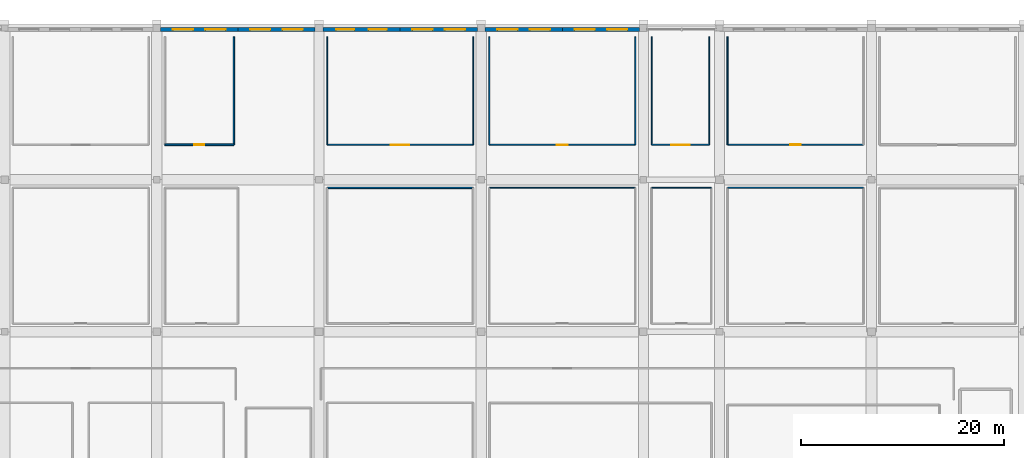
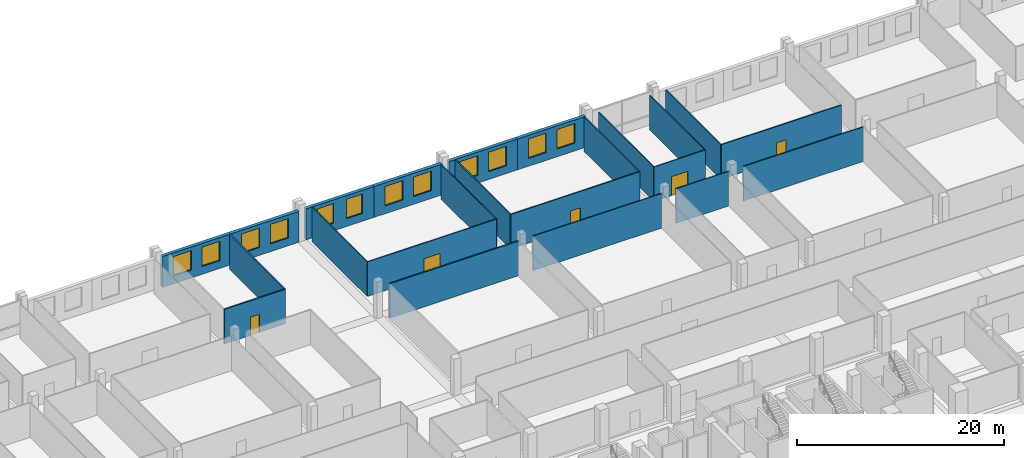
# One storey, part 49 of 64: 23 walls, 12 windows, 5 doors, 17 openings.
"""IFC4 building model written with IfcOpenShell, lengths in metres."""

from ifc_helpers import new_model, si_unit, direction, frame, frame_2d, origin, place, context, subcontext, project, spatial, rectangle, extrude, material, layer, layer_set, type_object, element, fill, save


model = new_model("IFC4")

# Units and contexts
model_context = context("Model", 3, precision=1e-05, world=origin(), true_north=direction((0.0, 1.0)))
body_context = subcontext(model_context, "Body", "Model", "MODEL_VIEW")
ifc_project = project(units=[si_unit("LENGTHUNIT", "METRE"), si_unit("AREAUNIT", "SQUARE_METRE"), si_unit("VOLUMEUNIT", "CUBIC_METRE"), si_unit("PLANEANGLEUNIT", "RADIAN"), si_unit("MASSUNIT", "GRAM", prefix="KILO")], contexts=[model_context])

# Site, building, storey
site_placement = place(None, origin())
site = spatial("IfcSite", under=ifc_project, at=site_placement, CompositionType="ELEMENT")
building_placement = place(site_placement, origin())
building = spatial("IfcBuilding", under=site, at=building_placement, Name="Akrevak Sports Hall", CompositionType="ELEMENT")
storey_placement = place(building_placement, frame((0.0, 0.0, 4.60009765625)))
storey = spatial("IfcBuildingStorey", under=building, at=storey_placement, Name="L01", CompositionType="ELEMENT", Elevation=4.60009765625)

# Wall, openings, windows
ifc_material_1 = material(Name="Limestone Ashlar", Category="stone")
ifc_layer_1 = layer(ifc_material_1, 0.080078125, Name="Limestone Ashlar")
ifc_material_2 = material(Name="Mineral Wool Thermal Insulation", Category="insulation")
ifc_layer_2 = layer(ifc_material_2, 0.10009765625, Name="Mineral Wool Thermal Insulation")
ifc_material_3 = material(Name="Concrete C40/50", Category="concrete")
ifc_layer_3 = layer(ifc_material_3, 0.199951171875, Name="Concrete C40/50")
ifc_layer_set_1 = layer_set([ifc_layer_1, ifc_layer_2, ifc_layer_3], Name="Limestone Ashlar / Mineral Wool Thermal Insulation / Concrete C40/50")
wall_type_1 = type_object("IfcWallType", Name="ARC-WL-EXT-380", PredefinedType="SOLIDWALL", material=ifc_layer_set_1)
wall_1_placement = place(storey_placement, frame((68.0, 113.81005859375, 0.0), z_axis=(0.0, 0.0, 1.0), x_axis=(-1.0, 0.0, 0.0)))
wall_1 = element("IfcWall", 1, at=wall_1_placement, inside=storey, type_object=wall_type_1, Name="Exterior Limestone Wall L01-N09", PredefinedType="SOLIDWALL", context=body_context, shape_type="SweptSolid", body=[
    extrude(rectangle(XDim=7.625, YDim=0.3798828125, at=frame_2d((3.8125, 0.0))), origin(), (0.0, 0.0, 1.0), 3.64990234375),
])
opening_1_placement = place(wall_1_placement, frame((4.413818359375, 0.0, 0.919921875)))
opening_1 = element("IfcOpeningElement", 2, at=opening_1_placement, cuts=wall_1, Name="Opening WN-29", PredefinedType="OPENING", context=body_context, shape_type="SweptSolid", body=[
    extrude(rectangle(XDim=2.0, YDim=2.300048828125, at=frame_2d((1.0, 1.14990234375))), frame((0.0, 0.201904296875, 0.0), z_axis=(0.0, -1.0, 0.0), x_axis=(1.0, 0.0, 0.0)), (0.0, 0.0, 1.0), 0.40380859375),
])
opening_2_placement = place(wall_1_placement, frame((1.211181640625, 0.0, 0.919921875)))
opening_2 = element("IfcOpeningElement", 3, at=opening_2_placement, cuts=wall_1, Name="Opening WN-29", PredefinedType="OPENING", context=body_context, shape_type="SweptSolid", body=[
    extrude(rectangle(XDim=2.0, YDim=2.300048828125, at=frame_2d((1.0, 1.14990234375))), frame((0.0, 0.201904296875, 0.0), z_axis=(0.0, -1.0, 0.0), x_axis=(1.0, 0.0, 0.0)), (0.0, 0.0, 1.0), 0.40380859375),
])
ifc_material_4 = material(Name="Thermally Broken Bronze Frame & Double Low-E Glass", Category="glass")
window_type_1 = type_object("IfcWindowType", Name="ARC-WIN-SZ-2000x2300", PartitioningType="SINGLE_PANEL", PredefinedType="WINDOW", material=ifc_material_4)
window_1_placement = place(opening_1_placement, origin())
window_1 = element("IfcWindow", 4, at=window_1_placement, inside=storey, type_object=window_type_1, Name="Beaux-Arts Facade Window WIN-L01-N09-1", OverallHeight=2.300048828125, OverallWidth=2.0, PartitioningType="SINGLE_PANEL", PredefinedType="WINDOW", context=body_context, shape_type="SweptSolid", body=[
    extrude(rectangle(XDim=2.0, YDim=2.300048828125, at=frame_2d((1.0, 1.14990234375))), frame((0.0, 0.030029296875, 0.0), z_axis=(0.0, -1.0, 0.0), x_axis=(1.0, 0.0, 0.0)), (0.0, 0.0, 1.0), 0.06005859375),
])
fill(opening_1, window_1)
window_2_placement = place(opening_2_placement, origin())
window_2 = element("IfcWindow", 5, at=window_2_placement, inside=storey, type_object=window_type_1, Name="Beaux-Arts Facade Window WIN-L01-N09-2", OverallHeight=2.300048828125, OverallWidth=2.0, PartitioningType="SINGLE_PANEL", PredefinedType="WINDOW", context=body_context, shape_type="SweptSolid", body=[
    extrude(rectangle(XDim=2.0, YDim=2.300048828125, at=frame_2d((1.0, 1.14990234375))), frame((0.0, 0.030029296875, 0.0), z_axis=(0.0, -1.0, 0.0), x_axis=(1.0, 0.0, 0.0)), (0.0, 0.0, 1.0), 0.06005859375),
])
fill(opening_2, window_2)

wall_2_placement = place(storey_placement, frame((75.625, 113.81005859375, 0.0), z_axis=(0.0, 0.0, 1.0), x_axis=(-1.0, 0.0, 0.0)))
wall_2 = element("IfcWall", 6, at=wall_2_placement, inside=storey, type_object=wall_type_1, Name="Exterior Limestone Wall L01-N10", PredefinedType="SOLIDWALL", context=body_context, shape_type="SweptSolid", body=[
    extrude(rectangle(XDim=7.625, YDim=0.3798828125, at=frame_2d((3.8125, 0.0))), origin(), (0.0, 0.0, 1.0), 3.64990234375),
])
opening_3_placement = place(wall_2_placement, frame((4.413818359375, 0.0, 0.919921875)))
opening_3 = element("IfcOpeningElement", 7, at=opening_3_placement, cuts=wall_2, Name="Opening WN-29", PredefinedType="OPENING", context=body_context, shape_type="SweptSolid", body=[
    extrude(rectangle(XDim=2.0, YDim=2.300048828125, at=frame_2d((1.0, 1.14990234375))), frame((0.0, 0.201904296875, 0.0), z_axis=(0.0, -1.0, 0.0), x_axis=(1.0, 0.0, 0.0)), (0.0, 0.0, 1.0), 0.40380859375),
])
opening_4_placement = place(wall_2_placement, frame((1.211181640625, 0.0, 0.919921875)))
opening_4 = element("IfcOpeningElement", 8, at=opening_4_placement, cuts=wall_2, Name="Opening WN-29", PredefinedType="OPENING", context=body_context, shape_type="SweptSolid", body=[
    extrude(rectangle(XDim=2.0, YDim=2.300048828125, at=frame_2d((1.0, 1.14990234375))), frame((0.0, 0.201904296875, 0.0), z_axis=(0.0, -1.0, 0.0), x_axis=(1.0, 0.0, 0.0)), (0.0, 0.0, 1.0), 0.40380859375),
])
window_3_placement = place(opening_3_placement, origin())
window_3 = element("IfcWindow", 9, at=window_3_placement, inside=storey, type_object=window_type_1, Name="Beaux-Arts Facade Window WIN-L01-N10-1", OverallHeight=2.300048828125, OverallWidth=2.0, PartitioningType="SINGLE_PANEL", PredefinedType="WINDOW", context=body_context, shape_type="SweptSolid", body=[
    extrude(rectangle(XDim=2.0, YDim=2.300048828125, at=frame_2d((1.0, 1.14990234375))), frame((0.0, 0.030029296875, 0.0), z_axis=(0.0, -1.0, 0.0), x_axis=(1.0, 0.0, 0.0)), (0.0, 0.0, 1.0), 0.06005859375),
])
fill(opening_3, window_3)
window_4_placement = place(opening_4_placement, origin())
window_4 = element("IfcWindow", 10, at=window_4_placement, inside=storey, type_object=window_type_1, Name="Beaux-Arts Facade Window WIN-L01-N10-2", OverallHeight=2.300048828125, OverallWidth=2.0, PartitioningType="SINGLE_PANEL", PredefinedType="WINDOW", context=body_context, shape_type="SweptSolid", body=[
    extrude(rectangle(XDim=2.0, YDim=2.300048828125, at=frame_2d((1.0, 1.14990234375))), frame((0.0, 0.030029296875, 0.0), z_axis=(0.0, -1.0, 0.0), x_axis=(1.0, 0.0, 0.0)), (0.0, 0.0, 1.0), 0.06005859375),
])
fill(opening_4, window_4)

wall_3_placement = place(storey_placement, frame((84.0, 113.81005859375, 0.0), z_axis=(0.0, 0.0, 1.0), x_axis=(-1.0, 0.0, 0.0)))
wall_3 = element("IfcWall", 11, at=wall_3_placement, inside=storey, type_object=wall_type_1, Name="Exterior Limestone Wall L01-N11", PredefinedType="SOLIDWALL", context=body_context, shape_type="SweptSolid", body=[
    extrude(rectangle(XDim=7.625, YDim=0.3798828125, at=frame_2d((3.8125, 0.0))), origin(), (0.0, 0.0, 1.0), 3.64990234375),
])
opening_5_placement = place(wall_3_placement, frame((4.513671875, 0.0, 0.919921875)))
opening_5 = element("IfcOpeningElement", 12, at=opening_5_placement, cuts=wall_3, Name="Opening WN-31", PredefinedType="OPENING", context=body_context, shape_type="SweptSolid", body=[
    extrude(rectangle(XDim=1.800048828125, YDim=2.300048828125, at=frame_2d((0.89990234375, 1.14990234375))), frame((0.0, 0.201904296875, 0.0), z_axis=(0.0, -1.0, 0.0), x_axis=(1.0, 0.0, 0.0)), (0.0, 0.0, 1.0), 0.40380859375),
])
opening_6_placement = place(wall_3_placement, frame((1.311279296875, 0.0, 0.919921875)))
opening_6 = element("IfcOpeningElement", 13, at=opening_6_placement, cuts=wall_3, Name="Opening WN-31", PredefinedType="OPENING", context=body_context, shape_type="SweptSolid", body=[
    extrude(rectangle(XDim=1.800048828125, YDim=2.300048828125, at=frame_2d((0.89990234375, 1.14990234375))), frame((0.0, 0.201904296875, 0.0), z_axis=(0.0, -1.0, 0.0), x_axis=(1.0, 0.0, 0.0)), (0.0, 0.0, 1.0), 0.40380859375),
])
window_type_2 = type_object("IfcWindowType", Name="ARC-WIN-SZ-1800x2300", PartitioningType="SINGLE_PANEL", PredefinedType="WINDOW", material=ifc_material_4)
window_5_placement = place(opening_5_placement, origin())
window_5 = element("IfcWindow", 14, at=window_5_placement, inside=storey, type_object=window_type_2, Name="Beaux-Arts Facade Window WIN-L01-N11-1", OverallHeight=2.300048828125, OverallWidth=1.800048828125, PartitioningType="SINGLE_PANEL", PredefinedType="WINDOW", context=body_context, shape_type="SweptSolid", body=[
    extrude(rectangle(XDim=1.800048828125, YDim=2.300048828125, at=frame_2d((0.89990234375, 1.14990234375))), frame((0.0, 0.030029296875, 0.0), z_axis=(0.0, -1.0, 0.0), x_axis=(1.0, 0.0, 0.0)), (0.0, 0.0, 1.0), 0.06005859375),
])
fill(opening_5, window_5)
window_6_placement = place(opening_6_placement, origin())
window_6 = element("IfcWindow", 15, at=window_6_placement, inside=storey, type_object=window_type_2, Name="Beaux-Arts Facade Window WIN-L01-N11-2", OverallHeight=2.300048828125, OverallWidth=1.800048828125, PartitioningType="SINGLE_PANEL", PredefinedType="WINDOW", context=body_context, shape_type="SweptSolid", body=[
    extrude(rectangle(XDim=1.800048828125, YDim=2.300048828125, at=frame_2d((0.89990234375, 1.14990234375))), frame((0.0, 0.030029296875, 0.0), z_axis=(0.0, -1.0, 0.0), x_axis=(1.0, 0.0, 0.0)), (0.0, 0.0, 1.0), 0.06005859375),
])
fill(opening_6, window_6)

wall_4_placement = place(storey_placement, frame((91.625, 113.81005859375, 0.0), z_axis=(0.0, 0.0, 1.0), x_axis=(-1.0, 0.0, 0.0)))
wall_4 = element("IfcWall", 16, at=wall_4_placement, inside=storey, type_object=wall_type_1, Name="Exterior Limestone Wall L01-N12", PredefinedType="SOLIDWALL", context=body_context, shape_type="SweptSolid", body=[
    extrude(rectangle(XDim=7.625, YDim=0.3798828125, at=frame_2d((3.8125, 0.0))), origin(), (0.0, 0.0, 1.0), 3.64990234375),
])
opening_7_placement = place(wall_4_placement, frame((4.413818359375, 0.0, 0.919921875)))
opening_7 = element("IfcOpeningElement", 17, at=opening_7_placement, cuts=wall_4, Name="Opening WN-29", PredefinedType="OPENING", context=body_context, shape_type="SweptSolid", body=[
    extrude(rectangle(XDim=2.0, YDim=2.300048828125, at=frame_2d((1.0, 1.14990234375))), frame((0.0, 0.201904296875, 0.0), z_axis=(0.0, -1.0, 0.0), x_axis=(1.0, 0.0, 0.0)), (0.0, 0.0, 1.0), 0.40380859375),
])
opening_8_placement = place(wall_4_placement, frame((1.211181640625, 0.0, 0.919921875)))
opening_8 = element("IfcOpeningElement", 18, at=opening_8_placement, cuts=wall_4, Name="Opening WN-29", PredefinedType="OPENING", context=body_context, shape_type="SweptSolid", body=[
    extrude(rectangle(XDim=2.0, YDim=2.300048828125, at=frame_2d((1.0, 1.14990234375))), frame((0.0, 0.201904296875, 0.0), z_axis=(0.0, -1.0, 0.0), x_axis=(1.0, 0.0, 0.0)), (0.0, 0.0, 1.0), 0.40380859375),
])
window_7_placement = place(opening_7_placement, origin())
window_7 = element("IfcWindow", 19, at=window_7_placement, inside=storey, type_object=window_type_1, Name="Beaux-Arts Facade Window WIN-L01-N12-1", OverallHeight=2.300048828125, OverallWidth=2.0, PartitioningType="SINGLE_PANEL", PredefinedType="WINDOW", context=body_context, shape_type="SweptSolid", body=[
    extrude(rectangle(XDim=2.0, YDim=2.300048828125, at=frame_2d((1.0, 1.14990234375))), frame((0.0, 0.030029296875, 0.0), z_axis=(0.0, -1.0, 0.0), x_axis=(1.0, 0.0, 0.0)), (0.0, 0.0, 1.0), 0.06005859375),
])
fill(opening_7, window_7)
window_8_placement = place(opening_8_placement, origin())
window_8 = element("IfcWindow", 20, at=window_8_placement, inside=storey, type_object=window_type_1, Name="Beaux-Arts Facade Window WIN-L01-N12-2", OverallHeight=2.300048828125, OverallWidth=2.0, PartitioningType="SINGLE_PANEL", PredefinedType="WINDOW", context=body_context, shape_type="SweptSolid", body=[
    extrude(rectangle(XDim=2.0, YDim=2.300048828125, at=frame_2d((1.0, 1.14990234375))), frame((0.0, 0.030029296875, 0.0), z_axis=(0.0, -1.0, 0.0), x_axis=(1.0, 0.0, 0.0)), (0.0, 0.0, 1.0), 0.06005859375),
])
fill(opening_8, window_8)

wall_5_placement = place(storey_placement, frame((100.0, 113.81005859375, 0.0), z_axis=(0.0, 0.0, 1.0), x_axis=(-1.0, 0.0, 0.0)))
wall_5 = element("IfcWall", 21, at=wall_5_placement, inside=storey, type_object=wall_type_1, Name="Exterior Limestone Wall L01-N13", PredefinedType="SOLIDWALL", context=body_context, shape_type="SweptSolid", body=[
    extrude(rectangle(XDim=7.625, YDim=0.3798828125, at=frame_2d((3.8125, 0.0))), origin(), (0.0, 0.0, 1.0), 3.64990234375),
])
opening_9_placement = place(wall_5_placement, frame((4.413818359375, 0.0, 0.919921875)))
opening_9 = element("IfcOpeningElement", 22, at=opening_9_placement, cuts=wall_5, Name="Opening WN-29", PredefinedType="OPENING", context=body_context, shape_type="SweptSolid", body=[
    extrude(rectangle(XDim=2.0, YDim=2.300048828125, at=frame_2d((1.0, 1.14990234375))), frame((0.0, 0.201904296875, 0.0), z_axis=(0.0, -1.0, 0.0), x_axis=(1.0, 0.0, 0.0)), (0.0, 0.0, 1.0), 0.40380859375),
])
opening_10_placement = place(wall_5_placement, frame((1.211181640625, 0.0, 0.919921875)))
opening_10 = element("IfcOpeningElement", 23, at=opening_10_placement, cuts=wall_5, Name="Opening WN-29", PredefinedType="OPENING", context=body_context, shape_type="SweptSolid", body=[
    extrude(rectangle(XDim=2.0, YDim=2.300048828125, at=frame_2d((1.0, 1.14990234375))), frame((0.0, 0.201904296875, 0.0), z_axis=(0.0, -1.0, 0.0), x_axis=(1.0, 0.0, 0.0)), (0.0, 0.0, 1.0), 0.40380859375),
])
window_9_placement = place(opening_9_placement, origin())
window_9 = element("IfcWindow", 24, at=window_9_placement, inside=storey, type_object=window_type_1, Name="Beaux-Arts Facade Window WIN-L01-N13-1", OverallHeight=2.300048828125, OverallWidth=2.0, PartitioningType="SINGLE_PANEL", PredefinedType="WINDOW", context=body_context, shape_type="SweptSolid", body=[
    extrude(rectangle(XDim=2.0, YDim=2.300048828125, at=frame_2d((1.0, 1.14990234375))), frame((0.0, 0.030029296875, 0.0), z_axis=(0.0, -1.0, 0.0), x_axis=(1.0, 0.0, 0.0)), (0.0, 0.0, 1.0), 0.06005859375),
])
fill(opening_9, window_9)
window_10_placement = place(opening_10_placement, origin())
window_10 = element("IfcWindow", 25, at=window_10_placement, inside=storey, type_object=window_type_1, Name="Beaux-Arts Facade Window WIN-L01-N13-2", OverallHeight=2.300048828125, OverallWidth=2.0, PartitioningType="SINGLE_PANEL", PredefinedType="WINDOW", context=body_context, shape_type="SweptSolid", body=[
    extrude(rectangle(XDim=2.0, YDim=2.300048828125, at=frame_2d((1.0, 1.14990234375))), frame((0.0, 0.030029296875, 0.0), z_axis=(0.0, -1.0, 0.0), x_axis=(1.0, 0.0, 0.0)), (0.0, 0.0, 1.0), 0.06005859375),
])
fill(opening_10, window_10)

wall_6_placement = place(storey_placement, frame((107.625, 113.81005859375, 0.0), z_axis=(0.0, 0.0, 1.0), x_axis=(-1.0, 0.0, 0.0)))
wall_6 = element("IfcWall", 26, at=wall_6_placement, inside=storey, type_object=wall_type_1, Name="Exterior Limestone Wall L01-N14", PredefinedType="SOLIDWALL", context=body_context, shape_type="SweptSolid", body=[
    extrude(rectangle(XDim=7.625, YDim=0.3798828125, at=frame_2d((3.8125, 0.0))), origin(), (0.0, 0.0, 1.0), 3.64990234375),
])
opening_11_placement = place(wall_6_placement, frame((4.413818359375, 0.0, 0.919921875)))
opening_11 = element("IfcOpeningElement", 27, at=opening_11_placement, cuts=wall_6, Name="Opening WN-29", PredefinedType="OPENING", context=body_context, shape_type="SweptSolid", body=[
    extrude(rectangle(XDim=2.0, YDim=2.300048828125, at=frame_2d((1.0, 1.14990234375))), frame((0.0, 0.201904296875, 0.0), z_axis=(0.0, -1.0, 0.0), x_axis=(1.0, 0.0, 0.0)), (0.0, 0.0, 1.0), 0.40380859375),
])
opening_12_placement = place(wall_6_placement, frame((1.211181640625, 0.0, 0.919921875)))
opening_12 = element("IfcOpeningElement", 28, at=opening_12_placement, cuts=wall_6, Name="Opening WN-29", PredefinedType="OPENING", context=body_context, shape_type="SweptSolid", body=[
    extrude(rectangle(XDim=2.0, YDim=2.300048828125, at=frame_2d((1.0, 1.14990234375))), frame((0.0, 0.201904296875, 0.0), z_axis=(0.0, -1.0, 0.0), x_axis=(1.0, 0.0, 0.0)), (0.0, 0.0, 1.0), 0.40380859375),
])
window_11_placement = place(opening_11_placement, origin())
window_11 = element("IfcWindow", 29, at=window_11_placement, inside=storey, type_object=window_type_1, Name="Beaux-Arts Facade Window WIN-L01-N14-1", OverallHeight=2.300048828125, OverallWidth=2.0, PartitioningType="SINGLE_PANEL", PredefinedType="WINDOW", context=body_context, shape_type="SweptSolid", body=[
    extrude(rectangle(XDim=2.0, YDim=2.300048828125, at=frame_2d((1.0, 1.14990234375))), frame((0.0, 0.030029296875, 0.0), z_axis=(0.0, -1.0, 0.0), x_axis=(1.0, 0.0, 0.0)), (0.0, 0.0, 1.0), 0.06005859375),
])
fill(opening_11, window_11)
window_12_placement = place(opening_12_placement, origin())
window_12 = element("IfcWindow", 30, at=window_12_placement, inside=storey, type_object=window_type_1, Name="Beaux-Arts Facade Window WIN-L01-N14-2", OverallHeight=2.300048828125, OverallWidth=2.0, PartitioningType="SINGLE_PANEL", PredefinedType="WINDOW", context=body_context, shape_type="SweptSolid", body=[
    extrude(rectangle(XDim=2.0, YDim=2.300048828125, at=frame_2d((1.0, 1.14990234375))), frame((0.0, 0.030029296875, 0.0), z_axis=(0.0, -1.0, 0.0), x_axis=(1.0, 0.0, 0.0)), (0.0, 0.0, 1.0), 0.06005859375),
])
fill(opening_12, window_12)

# Wall
ifc_material_5 = material(Name="Sanitary Cubicle Partition", Category="gypsum")
ifc_layer_4 = layer(ifc_material_5, 0.10009765625, Name="Sanitary Cubicle Partition")
ifc_layer_set_2 = layer_set([ifc_layer_4], Name="Sanitary Cubicle Partition")
wall_type_2 = type_object("IfcWallType", Name="ARC-WL-PRT-100", PredefinedType="PARTITIONING", material=ifc_layer_set_2)
wall_7_placement = place(storey_placement, frame((92.800048828125, 98.199951171875, 0.0), z_axis=(0.0, 0.0, 1.0), x_axis=(1.0, 0.0, 0.0)))
element("IfcWall", 31, at=wall_7_placement, inside=storey, type_object=wall_type_2, Name="Interior Partition Sports Federation Training Office L01-8 (N)", PredefinedType="PARTITIONING", context=body_context, shape_type="SweptSolid", body=[
    extrude(rectangle(XDim=14.39990234375, YDim=0.10009765625, at=frame_2d((7.199951171875, 0.0))), origin(), (0.0, 0.0, 1.0), 4.079833984375),
])

# Wall, opening, door
wall_8_placement = place(storey_placement, frame((108.800048828125, 102.449951171875, 0.0), z_axis=(0.0, 0.0, 1.0), x_axis=(1.0, 0.0, 0.0)))
wall_8 = element("IfcWall", 32, at=wall_8_placement, inside=storey, type_object=wall_type_2, Name="Interior Partition Competition Equipment Storage L01-9 (S)", PredefinedType="PARTITIONING", context=body_context, shape_type="SweptSolid", body=[
    extrude(rectangle(XDim=5.699951171875, YDim=0.10009765625, at=frame_2d((2.85009765625, 0.0))), origin(), (0.0, 0.0, 1.0), 4.079833984375),
])
opening_13_placement = place(wall_8_placement, frame((1.949951171875, 0.0, 0.0)))
opening_13 = element("IfcOpeningElement", 33, at=opening_13_placement, cuts=wall_8, Name="Opening ID-02", PredefinedType="OPENING", context=body_context, shape_type="SweptSolid", body=[
    extrude(rectangle(XDim=1.800048828125, YDim=2.25, at=frame_2d((0.89990234375, 1.125))), frame((0.0, 0.06201171875, 0.0), z_axis=(0.0, -1.0, 0.0), x_axis=(1.0, 0.0, 0.0)), (0.0, 0.0, 1.0), 0.1240234375),
])
ifc_material_6 = material(Name="Hardwood Oak & Safety Glass", Category="wood")
door_type_1 = type_object("IfcDoorType", Name="ARC-DR-HALL-180x225", OperationType="DOUBLE_DOOR_SINGLE_SWING", PredefinedType="DOOR", material=ifc_material_6)
door_1_placement = place(opening_13_placement, origin())
door_1 = element("IfcDoor", 34, at=door_1_placement, inside=storey, type_object=door_type_1, Name="Door to Competition Equipment Storage L01-9", OperationType="DOUBLE_DOOR_SINGLE_SWING", OverallHeight=2.25, OverallWidth=1.800048828125, PredefinedType="DOOR", context=body_context, shape_type="SweptSolid", body=[
    extrude(rectangle(XDim=1.800048828125, YDim=2.25, at=frame_2d((0.89990234375, 1.125))), frame((0.0, 0.02490234375, 0.0), z_axis=(0.0, -1.0, 0.0), x_axis=(1.0, 0.0, 0.0)), (0.0, 0.0, 1.0), 0.050048828125),
])
fill(opening_13, door_1)

# Walls
for number, where, z_axis, x_axis, name in (
    (35, (108.800048828125, 102.449951171875, 0.0), (0.0, 0.0, 1.0), (0.0, 1.0, 0.0), "Interior Partition Competition Equipment Storage L01-9 (W)"),
    (36, (114.5, 102.449951171875, 0.0), (0.0, 0.0, 1.0), (0.0, 1.0, 0.0), "Interior Partition Competition Equipment Storage L01-9 (E)"),
):
    element("IfcWall", number, at=place(storey_placement, frame(where, z_axis=z_axis, x_axis=x_axis)), inside=storey, type_object=wall_type_2, Name=name, PredefinedType="PARTITIONING", context=body_context, shape_type="SweptSolid", body=[
        extrude(rectangle(XDim=10.650146484375, YDim=0.10009765625, at=frame_2d((5.3251953125, 0.0))), origin(), (0.0, 0.0, 1.0), 4.079833984375),
    ])
ifc_material_7 = material(Name="Lightweight Office Partition", Category="gypsum")
ifc_layer_5 = layer(ifc_material_7, 0.110107421875, Name="Lightweight Office Partition")
ifc_layer_set_3 = layer_set([ifc_layer_5], Name="Lightweight Office Partition")
wall_type_3 = type_object("IfcWallType", Name="ARC-WL-PRT-110", PredefinedType="PARTITIONING", material=ifc_layer_set_3)
wall_9_placement = place(storey_placement, frame((108.800048828125, 98.199951171875, 0.0), z_axis=(0.0, 0.0, 1.0), x_axis=(1.0, 0.0, 0.0)))
element("IfcWall", 37, at=wall_9_placement, inside=storey, type_object=wall_type_3, Name="Interior Partition Sports Clinic Recovery & Physiotherapy Room L01-9 (N)", PredefinedType="PARTITIONING", context=body_context, shape_type="SweptSolid", body=[
    extrude(rectangle(XDim=5.89990234375, YDim=0.110107421875, at=frame_2d((2.949951171875, 0.0))), origin(), (0.0, 0.0, 1.0), 4.079833984375),
])

# Wall, opening, door
wall_10_placement = place(storey_placement, frame((76.800048828125, 102.449951171875, 0.0), z_axis=(0.0, 0.0, 1.0), x_axis=(1.0, 0.0, 0.0)))
wall_10 = element("IfcWall", 38, at=wall_10_placement, inside=storey, type_object=wall_type_3, Name="Interior Partition Competition Equipment Storage L01-7 (S)", PredefinedType="PARTITIONING", context=body_context, shape_type="SweptSolid", body=[
    extrude(rectangle(XDim=14.39990234375, YDim=0.110107421875, at=frame_2d((7.199951171875, 0.0))), origin(), (0.0, 0.0, 1.0), 4.079833984375),
])
opening_14_placement = place(wall_10_placement, frame((6.300048828125, 0.0, 0.0)))
opening_14 = element("IfcOpeningElement", 39, at=opening_14_placement, cuts=wall_10, Name="Opening ID-02", PredefinedType="OPENING", context=body_context, shape_type="SweptSolid", body=[
    extrude(rectangle(XDim=1.800048828125, YDim=2.25, at=frame_2d((0.89990234375, 1.125))), frame((0.0, 0.06689453125, 0.0), z_axis=(0.0, -1.0, 0.0), x_axis=(1.0, 0.0, 0.0)), (0.0, 0.0, 1.0), 0.134033203125),
])
door_2_placement = place(opening_14_placement, origin())
door_2 = element("IfcDoor", 40, at=door_2_placement, inside=storey, type_object=door_type_1, Name="Door to Competition Equipment Storage L01-7", OperationType="DOUBLE_DOOR_SINGLE_SWING", OverallHeight=2.25, OverallWidth=1.800048828125, PredefinedType="DOOR", context=body_context, shape_type="SweptSolid", body=[
    extrude(rectangle(XDim=1.800048828125, YDim=2.25, at=frame_2d((0.89990234375, 1.125))), frame((0.0, 0.02490234375, 0.0), z_axis=(0.0, -1.0, 0.0), x_axis=(1.0, 0.0, 0.0)), (0.0, 0.0, 1.0), 0.050048828125),
])
fill(opening_14, door_2)

# Walls
for number, where, z_axis, x_axis, name in (
    (41, (76.800048828125, 102.449951171875, 0.0), (0.0, 0.0, 1.0), (0.0, 1.0, 0.0), "Interior Partition Competition Equipment Storage L01-7 (W)"),
    (42, (91.199951171875, 102.449951171875, 0.0), (0.0, 0.0, 1.0), (0.0, 1.0, 0.0), "Interior Partition Competition Equipment Storage L01-7 (E)"),
):
    element("IfcWall", number, at=place(storey_placement, frame(where, z_axis=z_axis, x_axis=x_axis)), inside=storey, type_object=wall_type_3, Name=name, PredefinedType="PARTITIONING", context=body_context, shape_type="SweptSolid", body=[
        extrude(rectangle(XDim=10.650146484375, YDim=0.110107421875, at=frame_2d((5.3251953125, 0.0))), origin(), (0.0, 0.0, 1.0), 4.079833984375),
    ])
ifc_material_8 = material(Name="Standard Metal Stud Partition", Category="gypsum")
ifc_layer_6 = layer(ifc_material_8, 0.1201171875, Name="Standard Metal Stud Partition")
ifc_layer_set_4 = layer_set([ifc_layer_6], Name="Standard Metal Stud Partition")
wall_type_4 = type_object("IfcWallType", Name="ARC-WL-PRT-120", PredefinedType="PARTITIONING", material=ifc_layer_set_4)
wall_11_placement = place(storey_placement, frame((116.300048828125, 98.199951171875, 0.0), z_axis=(0.0, 0.0, 1.0), x_axis=(1.0, 0.0, 0.0)))
element("IfcWall", 43, at=wall_11_placement, inside=storey, type_object=wall_type_4, Name="Interior Partition Athletic Gear & Equipment Storage L01-10 (N)", PredefinedType="PARTITIONING", context=body_context, shape_type="SweptSolid", body=[
    extrude(rectangle(XDim=13.39990234375, YDim=0.1201171875, at=frame_2d((6.699951171875, 0.0))), origin(), (0.0, 0.0, 1.0), 4.079833984375),
])

# Wall, opening, door
wall_12_placement = place(storey_placement, frame((116.300048828125, 102.449951171875, 0.0), z_axis=(0.0, 0.0, 1.0), x_axis=(1.0, 0.0, 0.0)))
wall_12 = element("IfcWall", 44, at=wall_12_placement, inside=storey, type_object=wall_type_4, Name="Interior Partition Federation Officiating & Records Office L01-10 (S)", PredefinedType="PARTITIONING", context=body_context, shape_type="SweptSolid", body=[
    extrude(rectangle(XDim=13.39990234375, YDim=0.1201171875, at=frame_2d((6.699951171875, 0.0))), origin(), (0.0, 0.0, 1.0), 4.079833984375),
])
opening_15_placement = place(wall_12_placement, frame((6.175048828125, 0.0, 0.0)))
opening_15 = element("IfcOpeningElement", 45, at=opening_15_placement, cuts=wall_12, Name="Opening ID-05", PredefinedType="OPENING", context=body_context, shape_type="SweptSolid", body=[
    extrude(rectangle(XDim=1.050048828125, YDim=2.14990234375, at=frame_2d((0.52490234375, 1.074951171875))), frame((0.0, 0.072021484375, 0.0), z_axis=(0.0, -1.0, 0.0), x_axis=(1.0, 0.0, 0.0)), (0.0, 0.0, 1.0), 0.14404296875),
])
ifc_material_9 = material(Name="Hardwood Oak Acoustic Leaf", Category="wood")
door_type_2 = type_object("IfcDoorType", Name="ARC-DR-OFF-105x215", OperationType="NOTDEFINED", PredefinedType="DOOR", material=ifc_material_9)
door_3_placement = place(opening_15_placement, frame((1.050048828125, 0.0, 0.0), z_axis=(0.0, 0.0, 1.0), x_axis=(-1.0, 0.0, 0.0)))
door_3 = element("IfcDoor", 46, at=door_3_placement, inside=storey, type_object=door_type_2, Name="Door to Federation Officiating & Records Office L01-10", OperationType="SINGLE_SWING_RIGHT", OverallHeight=2.14990234375, OverallWidth=1.050048828125, PredefinedType="DOOR", context=body_context, shape_type="SweptSolid", body=[
    extrude(rectangle(XDim=1.050048828125, YDim=2.14990234375, at=frame_2d((0.52490234375, 1.074951171875))), frame((0.0, 0.02490234375, 0.0), z_axis=(0.0, -1.0, 0.0), x_axis=(1.0, 0.0, 0.0)), (0.0, 0.0, 1.0), 0.050048828125),
])
fill(opening_15, door_3)

# Wall
wall_13_placement = place(storey_placement, frame((116.300048828125, 102.449951171875, 0.0), z_axis=(0.0, 0.0, 1.0), x_axis=(0.0, 1.0, 0.0)))
element("IfcWall", 47, at=wall_13_placement, inside=storey, type_object=wall_type_4, Name="Interior Partition Federation Officiating & Records Office L01-10 (W)", PredefinedType="PARTITIONING", context=body_context, shape_type="SweptSolid", body=[
    extrude(rectangle(XDim=10.650146484375, YDim=0.1201171875, at=frame_2d((5.3251953125, 0.0))), origin(), (0.0, 0.0, 1.0), 4.079833984375),
])

# Wall, opening, door
ifc_material_10 = material(Name="Acoustic Metal Stud Partition", Category="gypsum")
ifc_layer_7 = layer(ifc_material_10, 0.1298828125, Name="Acoustic Metal Stud Partition")
ifc_layer_set_5 = layer_set([ifc_layer_7], Name="Acoustic Metal Stud Partition")
wall_type_5 = type_object("IfcWallType", Name="ARC-WL-PRT-130", PredefinedType="PARTITIONING", material=ifc_layer_set_5)
wall_14_placement = place(storey_placement, frame((92.800048828125, 102.449951171875, 0.0), z_axis=(0.0, 0.0, 1.0), x_axis=(1.0, 0.0, 0.0)))
wall_14 = element("IfcWall", 48, at=wall_14_placement, inside=storey, type_object=wall_type_5, Name="Interior Partition Federation Officiating & Records Office L01-8 (S)", PredefinedType="PARTITIONING", context=body_context, shape_type="SweptSolid", body=[
    extrude(rectangle(XDim=14.39990234375, YDim=0.1298828125, at=frame_2d((7.199951171875, 0.0))), origin(), (0.0, 0.0, 1.0), 4.079833984375),
])
opening_16_placement = place(wall_14_placement, frame((6.64990234375, 0.0, 0.0)))
opening_16 = element("IfcOpeningElement", 49, at=opening_16_placement, cuts=wall_14, Name="Opening ID-04", PredefinedType="OPENING", context=body_context, shape_type="SweptSolid", body=[
    extrude(rectangle(XDim=1.10009765625, YDim=2.14990234375, at=frame_2d((0.550048828125, 1.074951171875))), frame((0.0, 0.076904296875, 0.0), z_axis=(0.0, -1.0, 0.0), x_axis=(1.0, 0.0, 0.0)), (0.0, 0.0, 1.0), 0.15380859375),
])
door_type_3 = type_object("IfcDoorType", Name="ARC-DR-OFF-110x215", OperationType="NOTDEFINED", PredefinedType="DOOR", material=ifc_material_9)
door_4_placement = place(opening_16_placement, origin())
door_4 = element("IfcDoor", 50, at=door_4_placement, inside=storey, type_object=door_type_3, Name="Door to Federation Officiating & Records Office L01-8", OperationType="SINGLE_SWING_LEFT", OverallHeight=2.14990234375, OverallWidth=1.10009765625, PredefinedType="DOOR", context=body_context, shape_type="SweptSolid", body=[
    extrude(rectangle(XDim=1.10009765625, YDim=2.14990234375, at=frame_2d((0.550048828125, 1.074951171875))), frame((0.0, 0.02490234375, 0.0), z_axis=(0.0, -1.0, 0.0), x_axis=(1.0, 0.0, 0.0)), (0.0, 0.0, 1.0), 0.050048828125),
])
fill(opening_16, door_4)

# Walls
for number, where, z_axis, x_axis, name in (
    (51, (92.800048828125, 102.449951171875, 0.0), (0.0, 0.0, 1.0), (0.0, 1.0, 0.0), "Interior Partition Federation Officiating & Records Office L01-8 (W)"),
    (52, (107.199951171875, 102.449951171875, 0.0), (0.0, 0.0, 1.0), (0.0, 1.0, 0.0), "Interior Partition Federation Officiating & Records Office L01-8 (E)"),
):
    element("IfcWall", number, at=place(storey_placement, frame(where, z_axis=z_axis, x_axis=x_axis)), inside=storey, type_object=wall_type_5, Name=name, PredefinedType="PARTITIONING", context=body_context, shape_type="SweptSolid", body=[
        extrude(rectangle(XDim=10.650146484375, YDim=0.1298828125, at=frame_2d((5.3251953125, 0.0))), origin(), (0.0, 0.0, 1.0), 4.079833984375),
    ])
ifc_material_11 = material(Name="Double Stud Acoustic Gypsum Partition", Category="gypsum")
ifc_layer_8 = layer(ifc_material_11, 0.14990234375, Name="Double Stud Acoustic Gypsum Partition")
ifc_layer_set_6 = layer_set([ifc_layer_8], Name="Double Stud Acoustic Gypsum Partition")
wall_type_6 = type_object("IfcWallType", Name="ARC-WL-PRT-150", PredefinedType="PARTITIONING", material=ifc_layer_set_6)
wall_15_placement = place(storey_placement, frame((76.800048828125, 98.199951171875, 0.0), z_axis=(0.0, 0.0, 1.0), x_axis=(1.0, 0.0, 0.0)))
element("IfcWall", 53, at=wall_15_placement, inside=storey, type_object=wall_type_6, Name="Interior Partition Athletic Gear & Equipment Storage L01-7 (N)", PredefinedType="PARTITIONING", context=body_context, shape_type="SweptSolid", body=[
    extrude(rectangle(XDim=14.39990234375, YDim=0.14990234375, at=frame_2d((7.199951171875, 0.0))), origin(), (0.0, 0.0, 1.0), 4.079833984375),
])

# Wall, opening, door
wall_16_placement = place(storey_placement, frame((60.800048828125, 102.449951171875, 0.0), z_axis=(0.0, 0.0, 1.0), x_axis=(1.0, 0.0, 0.0)))
wall_16 = element("IfcWall", 54, at=wall_16_placement, inside=storey, type_object=wall_type_6, Name="Interior Partition Federation Officiating & Records Office L01-6 (S)", PredefinedType="PARTITIONING", context=body_context, shape_type="SweptSolid", body=[
    extrude(rectangle(XDim=6.800048828125, YDim=0.14990234375, at=frame_2d((3.39990234375, 0.0))), origin(), (0.0, 0.0, 1.0), 4.079833984375),
])
opening_17_placement = place(wall_16_placement, frame((2.89990234375, 0.0, 0.0)))
opening_17 = element("IfcOpeningElement", 55, at=opening_17_placement, cuts=wall_16, Name="Opening ID-06", PredefinedType="OPENING", context=body_context, shape_type="SweptSolid", body=[
    extrude(rectangle(XDim=1.0, YDim=2.14990234375, at=frame_2d((0.5, 1.074951171875))), frame((0.0, 0.0869140625, 0.0), z_axis=(0.0, -1.0, 0.0), x_axis=(1.0, 0.0, 0.0)), (0.0, 0.0, 1.0), 0.173828125),
])
door_type_4 = type_object("IfcDoorType", Name="ARC-DR-OFF-100x215", OperationType="NOTDEFINED", PredefinedType="DOOR", material=ifc_material_9)
door_5_placement = place(opening_17_placement, frame((1.0, 0.0, 0.0), z_axis=(0.0, 0.0, 1.0), x_axis=(-1.0, 0.0, 0.0)))
door_5 = element("IfcDoor", 56, at=door_5_placement, inside=storey, type_object=door_type_4, Name="Door to Federation Officiating & Records Office L01-6", OperationType="SINGLE_SWING_RIGHT", OverallHeight=2.14990234375, OverallWidth=1.0, PredefinedType="DOOR", context=body_context, shape_type="SweptSolid", body=[
    extrude(rectangle(XDim=1.0, YDim=2.14990234375, at=frame_2d((0.5, 1.074951171875))), frame((0.0, 0.02490234375, 0.0), z_axis=(0.0, -1.0, 0.0), x_axis=(1.0, 0.0, 0.0)), (0.0, 0.0, 1.0), 0.050048828125),
])
fill(opening_17, door_5)

# Wall
wall_17_placement = place(storey_placement, frame((67.60009765625, 102.449951171875, 0.0), z_axis=(0.0, 0.0, 1.0), x_axis=(0.0, 1.0, 0.0)))
element("IfcWall", 57, at=wall_17_placement, inside=storey, type_object=wall_type_6, Name="Interior Partition Federation Officiating & Records Office L01-6 (E)", PredefinedType="PARTITIONING", context=body_context, shape_type="SweptSolid", body=[
    extrude(rectangle(XDim=10.650146484375, YDim=0.14990234375, at=frame_2d((5.3251953125, 0.0))), origin(), (0.0, 0.0, 1.0), 4.079833984375),
])

save(model, "model.ifc")
